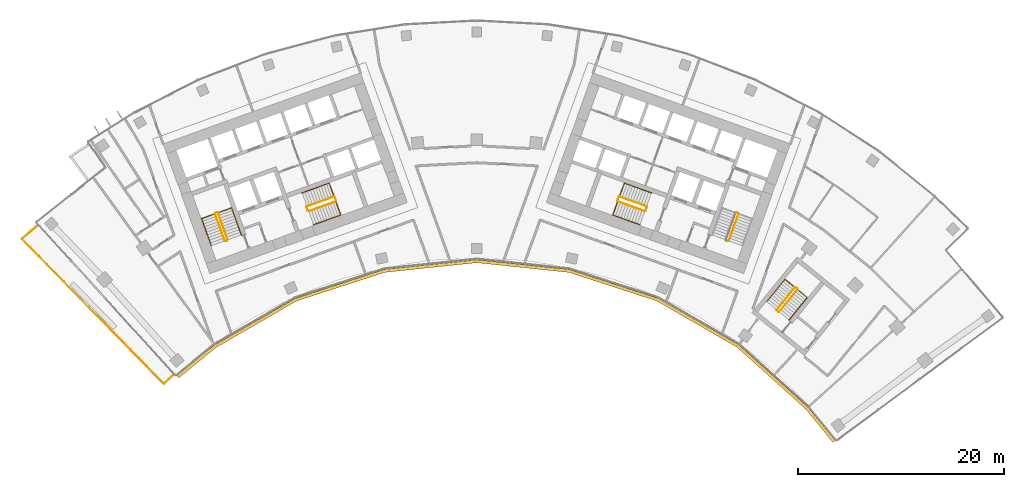
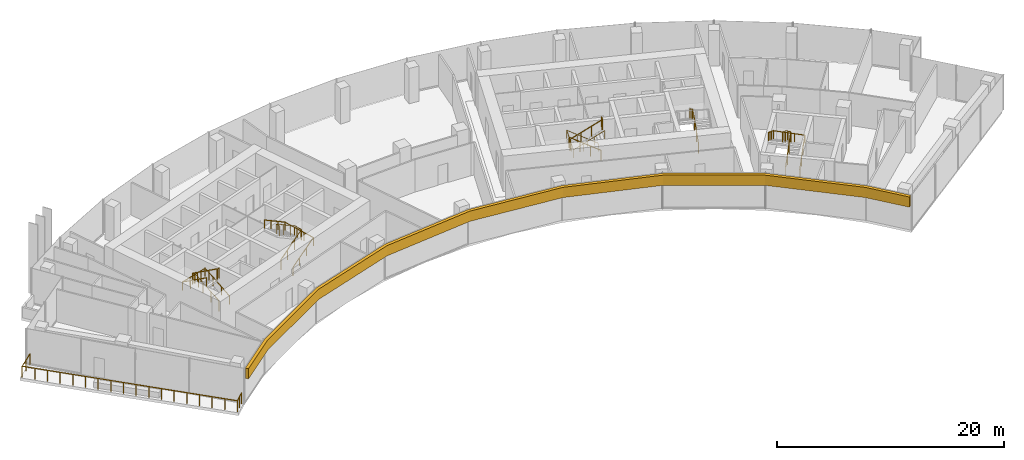
# One storey, part 18 of 19: 14 railings, 1 covering.
"""IFC4 building model written with IfcOpenShell, lengths in metres."""

from ifc_helpers import new_model, si_unit, direction, frame, origin, origin_2d, place, context, subcontext, project, spatial, polyline, circle, outline, extrude, material, layer, layer_set, type_object, element, save


model = new_model("IFC4")

# Units and contexts
model_context = context("Model", 3, precision=1e-05, world=origin(), true_north=direction((0.0, 1.0)))
body_context = subcontext(model_context, "Body", "Model", "MODEL_VIEW")
ifc_project = project(units=[si_unit("LENGTHUNIT", "METRE"), si_unit("AREAUNIT", "SQUARE_METRE"), si_unit("VOLUMEUNIT", "CUBIC_METRE"), si_unit("PLANEANGLEUNIT", "RADIAN"), si_unit("MASSUNIT", "GRAM", prefix="KILO")], contexts=[model_context])

# Site, building, storey
site_placement = place(None, origin())
site = spatial("IfcSite", under=ifc_project, at=site_placement, CompositionType="ELEMENT")
building_placement = place(site_placement, origin())
building = spatial("IfcBuilding", under=site, at=building_placement, Name="Stone Belt Terrace Tower", CompositionType="ELEMENT")
storey_placement = place(building_placement, frame((0.0, 0.0, 227.60009765625)))
storey = spatial("IfcBuildingStorey", under=building, at=storey_placement, Name="L55", CompositionType="ELEMENT", Elevation=227.60009765625)

# Railings
ifc_material_1 = material(Name="Structural steel C345", Category="steel")
railing_type_1 = type_object("IfcRailingType", Name="Stair guard 1100", PredefinedType="GUARDRAIL", material=ifc_material_1)
railing_1_placement = place(storey_placement, frame((-24.2119140625, 45.276123046875, 0.172607421875)))
element("IfcRailing", 1, at=railing_1_placement, inside=storey, type_object=railing_type_1, Name="L55 ST1A stair guard 1", PredefinedType="GUARDRAIL", context=body_context, shape_type="SweptSolid", body=[
    extrude(circle(Radius=0.02392578125, at=origin_2d()), frame((0.0, 0.0, 1.076171875), z_axis=(-0.288228637646, 0.800791768495, 0.525030280985), x_axis=(-0.940908529223, -0.338660803216, 0.0)), (0.0, 0.0, 1.0), 3.289794921875),
    extrude(circle(Radius=0.02392578125, at=origin_2d()), frame((-0.9482421875, 2.634521484375, 2.80322265625), z_axis=(-0.905209821074, 0.424964916, 0.0), x_axis=(-0.424964916, -0.905209821074, 0.0)), (0.0, 0.0, 1.0), 0.070556640625),
    extrude(circle(Radius=0.02392578125, at=origin_2d()), frame((-1.01220703125, 2.66455078125, 2.80322265625), z_axis=(-0.941105063269, -0.338114270461, 0.0), x_axis=(0.338114270461, -0.941105063269, 0.0)), (0.0, 0.0, 1.0), 0.199951171875),
    extrude(circle(Radius=0.02099609375, at=origin_2d()), origin(), (0.0, 0.0, 1.0), 1.052001953125),
    extrude(circle(Radius=0.02099609375, at=origin_2d()), frame((-0.316162109375, 0.878173828125, 0.57568359375)), (0.0, 0.0, 1.0), 1.052001953125),
    extrude(circle(Radius=0.02099609375, at=origin_2d()), frame((-0.632080078125, 1.75634765625, 1.151611328125)), (0.0, 0.0, 1.0), 1.052001953125),
    extrude(circle(Radius=0.02099609375, at=origin_2d()), frame((-0.9482421875, 2.634521484375, 1.727294921875)), (0.0, 0.0, 1.0), 1.052001953125),
    extrude(circle(Radius=0.02099609375, at=origin_2d()), frame((-1.01220703125, 2.66455078125, 1.727294921875)), (0.0, 0.0, 1.0), 1.052001953125),
    extrude(circle(Radius=0.02099609375, at=origin_2d()), frame((-1.200439453125, 2.596923828125, 1.727294921875)), (0.0, 0.0, 1.0), 1.052001953125),
])
railing_2_placement = place(storey_placement, frame((-25.4423828125, 47.80908203125, 2.072509765625)))
element("IfcRailing", 2, at=railing_2_placement, inside=storey, type_object=railing_type_1, Name="L55 ST1A stair guard 2", PredefinedType="GUARDRAIL", context=body_context, shape_type="SweptSolid", body=[
    extrude(circle(Radius=0.02392578125, at=origin_2d()), frame((0.0, 0.0, 1.076171875), z_axis=(0.288228637646, -0.800791768495, 0.525030280985), x_axis=(0.940908529223, 0.338660803216, 0.0)), (0.0, 0.0, 1.0), 3.289794921875),
    extrude(circle(Radius=0.02392578125, at=origin_2d()), frame((0.9482421875, -2.634521484375, 2.80322265625), z_axis=(0.903878284585, -0.427789722475, 0.0), x_axis=(0.427789722475, 0.903878284585, 0.0)), (0.0, 0.0, 1.0), 0.07080078125),
    extrude(circle(Radius=0.02392578125, at=origin_2d()), frame((1.01220703125, -2.664794921875, 2.80322265625), z_axis=(0.940575576748, 0.339584429008, 0.0), x_axis=(-0.339584429008, 0.940575576748, 0.0)), (0.0, 0.0, 1.0), 0.199951171875),
    extrude(circle(Radius=0.02099609375, at=origin_2d()), origin(), (0.0, 0.0, 1.0), 1.052001953125),
    extrude(circle(Radius=0.02099609375, at=origin_2d()), frame((0.316162109375, -0.878173828125, 0.57568359375)), (0.0, 0.0, 1.0), 1.052001953125),
    extrude(circle(Radius=0.02099609375, at=origin_2d()), frame((0.632080078125, -1.75634765625, 1.151611328125)), (0.0, 0.0, 1.0), 1.052001953125),
    extrude(circle(Radius=0.02099609375, at=origin_2d()), frame((0.9482421875, -2.634521484375, 1.727294921875)), (0.0, 0.0, 1.0), 1.052001953125),
    extrude(circle(Radius=0.02099609375, at=origin_2d()), frame((1.01220703125, -2.664794921875, 1.727294921875)), (0.0, 0.0, 1.0), 1.052001953125),
    extrude(circle(Radius=0.02099609375, at=origin_2d()), frame((1.2001953125, -2.596923828125, 1.727294921875)), (0.0, 0.0, 1.0), 1.052001953125),
])
railing_3_placement = place(storey_placement, frame((-16.33837890625, 48.056640625, 0.172607421875)))
element("IfcRailing", 3, at=railing_3_placement, inside=storey, type_object=railing_type_1, Name="L55 ST2A stair guard 1", PredefinedType="GUARDRAIL", context=body_context, shape_type="SweptSolid", body=[
    extrude(circle(Radius=0.02392578125, at=origin_2d()), frame((0.0, 0.0, 1.076171875), z_axis=(0.800808895155, 0.288160591223, 0.52504150989), x_axis=(-0.338583606334, 0.940936311087, 0.0)), (0.0, 0.0, 1.0), 3.289794921875),
    extrude(circle(Radius=0.02392578125, at=origin_2d()), frame((2.634521484375, 0.947998046875, 2.80322265625), z_axis=(0.427789722475, 0.903878284585, 0.0), x_axis=(-0.903878284585, 0.427789722475, 0.0)), (0.0, 0.0, 1.0), 0.07080078125),
    extrude(circle(Radius=0.02392578125, at=origin_2d()), frame((2.664794921875, 1.011962890625, 2.80322265625), z_axis=(-0.338654645739, 0.940910745459, 0.0), x_axis=(-0.940910745459, -0.338654645739, 0.0)), (0.0, 0.0, 1.0), 0.400146484375),
    extrude(circle(Radius=0.02099609375, at=origin_2d()), origin(), (0.0, 0.0, 1.0), 1.052001953125),
    extrude(circle(Radius=0.02099609375, at=origin_2d()), frame((0.878173828125, 0.31591796875, 0.57568359375)), (0.0, 0.0, 1.0), 1.052001953125),
    extrude(circle(Radius=0.02099609375, at=origin_2d()), frame((1.75634765625, 0.632080078125, 1.151611328125)), (0.0, 0.0, 1.0), 1.052001953125),
    extrude(circle(Radius=0.02099609375, at=origin_2d()), frame((2.634521484375, 0.947998046875, 1.727294921875)), (0.0, 0.0, 1.0), 1.052001953125),
    extrude(circle(Radius=0.02099609375, at=origin_2d()), frame((2.664794921875, 1.011962890625, 1.727294921875)), (0.0, 0.0, 1.0), 1.052001953125),
    extrude(circle(Radius=0.02099609375, at=origin_2d()), frame((2.529296875, 1.388427734375, 1.727294921875)), (0.0, 0.0, 1.0), 1.052001953125),
])
railing_4_placement = place(storey_placement, frame((-13.873046875, 49.47509765625, 2.072509765625)))
element("IfcRailing", 4, at=railing_4_placement, inside=storey, type_object=railing_type_1, Name="L55 ST2A stair guard 2", PredefinedType="GUARDRAIL", context=body_context, shape_type="SweptSolid", body=[
    extrude(circle(Radius=0.02392578125, at=origin_2d()), frame((0.0, 0.0, 1.076171875), z_axis=(-0.800808895155, -0.288160591223, 0.52504150989), x_axis=(0.338583606334, -0.940936311087, 0.0)), (0.0, 0.0, 1.0), 3.289794921875),
    extrude(circle(Radius=0.02392578125, at=origin_2d()), frame((-2.634521484375, -0.947998046875, 2.80322265625), z_axis=(-0.427789722475, -0.903878284585, 0.0), x_axis=(0.903878284585, -0.427789722475, 0.0)), (0.0, 0.0, 1.0), 0.07080078125),
    extrude(circle(Radius=0.02392578125, at=origin_2d()), frame((-2.664794921875, -1.011962890625, 2.80322265625), z_axis=(0.338654645739, -0.940910745459, 0.0), x_axis=(0.940910745459, 0.338654645739, 0.0)), (0.0, 0.0, 1.0), 0.400146484375),
    extrude(circle(Radius=0.02099609375, at=origin_2d()), origin(), (0.0, 0.0, 1.0), 1.052001953125),
    extrude(circle(Radius=0.02099609375, at=origin_2d()), frame((-0.878173828125, -0.31591796875, 0.57568359375)), (0.0, 0.0, 1.0), 1.052001953125),
    extrude(circle(Radius=0.02099609375, at=origin_2d()), frame((-1.75634765625, -0.632080078125, 1.151611328125)), (0.0, 0.0, 1.0), 1.052001953125),
    extrude(circle(Radius=0.02099609375, at=origin_2d()), frame((-2.634521484375, -0.947998046875, 1.727294921875)), (0.0, 0.0, 1.0), 1.052001953125),
    extrude(circle(Radius=0.02099609375, at=origin_2d()), frame((-2.664794921875, -1.011962890625, 1.727294921875)), (0.0, 0.0, 1.0), 1.052001953125),
    extrude(circle(Radius=0.02099609375, at=origin_2d()), frame((-2.529296875, -1.388427734375, 1.727294921875)), (0.0, 0.0, 1.0), 1.052001953125),
])
railing_5_placement = place(storey_placement, frame((24.494140625, 45.174560546875, 0.172607421875)))
element("IfcRailing", 5, at=railing_5_placement, inside=storey, type_object=railing_type_1, Name="L55 ST1B stair guard 1", PredefinedType="GUARDRAIL", context=body_context, shape_type="SweptSolid", body=[
    extrude(circle(Radius=0.02392578125, at=origin_2d()), frame((0.0, 0.0, 1.076171875), z_axis=(0.288228637646, 0.800791768495, 0.525030280985), x_axis=(-0.940908529223, 0.338660803216, 0.0)), (0.0, 0.0, 1.0), 3.289794921875),
    extrude(circle(Radius=0.02392578125, at=origin_2d()), frame((0.9482421875, 2.634521484375, 2.80322265625), z_axis=(-0.424964916, 0.905209821074, 0.0), x_axis=(-0.905209821074, -0.424964916, 0.0)), (0.0, 0.0, 1.0), 0.070556640625),
    extrude(circle(Radius=0.02392578125, at=origin_2d()), frame((0.918212890625, 2.698486328125, 2.80322265625), z_axis=(-0.941105063269, 0.338114270461, 0.0), x_axis=(-0.338114270461, -0.941105063269, 0.0)), (0.0, 0.0, 1.0), 0.199951171875),
    extrude(circle(Radius=0.02099609375, at=origin_2d()), origin(), (0.0, 0.0, 1.0), 1.052001953125),
    extrude(circle(Radius=0.02099609375, at=origin_2d()), frame((0.316162109375, 0.878173828125, 0.57568359375)), (0.0, 0.0, 1.0), 1.052001953125),
    extrude(circle(Radius=0.02099609375, at=origin_2d()), frame((0.632080078125, 1.75634765625, 1.151611328125)), (0.0, 0.0, 1.0), 1.052001953125),
    extrude(circle(Radius=0.02099609375, at=origin_2d()), frame((0.9482421875, 2.634521484375, 1.727294921875)), (0.0, 0.0, 1.0), 1.052001953125),
    extrude(circle(Radius=0.02099609375, at=origin_2d()), frame((0.918212890625, 2.698486328125, 1.727294921875)), (0.0, 0.0, 1.0), 1.052001953125),
    extrude(circle(Radius=0.02099609375, at=origin_2d()), frame((0.72998046875, 2.76611328125, 1.727294921875)), (0.0, 0.0, 1.0), 1.052001953125),
])
railing_6_placement = place(storey_placement, frame((16.507568359375, 48.527099609375, 0.172607421875)))
element("IfcRailing", 6, at=railing_6_placement, inside=storey, type_object=railing_type_1, Name="L55 ST2B stair guard 1", PredefinedType="GUARDRAIL", context=body_context, shape_type="SweptSolid", body=[
    extrude(circle(Radius=0.02392578125, at=origin_2d()), frame((0.0, 0.0, 1.076171875), z_axis=(-0.800808895155, 0.288160591223, 0.52504150989), x_axis=(-0.338583606334, -0.940936311087, 0.0)), (0.0, 0.0, 1.0), 3.289794921875),
    extrude(circle(Radius=0.02392578125, at=origin_2d()), frame((-2.634521484375, 0.947998046875, 2.80322265625), z_axis=(-0.905209821074, -0.424964916, 0.0), x_axis=(0.424964916, -0.905209821074, 0.0)), (0.0, 0.0, 1.0), 0.070556640625),
    extrude(circle(Radius=0.02392578125, at=origin_2d()), frame((-2.698486328125, 0.91796875, 2.80322265625), z_axis=(-0.338654645739, -0.940910745459, 0.0), x_axis=(0.940910745459, -0.338654645739, 0.0)), (0.0, 0.0, 1.0), 0.400146484375),
    extrude(circle(Radius=0.02099609375, at=origin_2d()), origin(), (0.0, 0.0, 1.0), 1.052001953125),
    extrude(circle(Radius=0.02099609375, at=origin_2d()), frame((-0.878173828125, 0.31591796875, 0.57568359375)), (0.0, 0.0, 1.0), 1.052001953125),
    extrude(circle(Radius=0.02099609375, at=origin_2d()), frame((-1.75634765625, 0.632080078125, 1.151611328125)), (0.0, 0.0, 1.0), 1.052001953125),
    extrude(circle(Radius=0.02099609375, at=origin_2d()), frame((-2.634521484375, 0.947998046875, 1.727294921875)), (0.0, 0.0, 1.0), 1.052001953125),
    extrude(circle(Radius=0.02099609375, at=origin_2d()), frame((-2.698486328125, 0.91796875, 1.727294921875)), (0.0, 0.0, 1.0), 1.052001953125),
    extrude(circle(Radius=0.02099609375, at=origin_2d()), frame((-2.833984375, 0.54150390625, 1.727294921875)), (0.0, 0.0, 1.0), 1.052001953125),
])
railing_7_placement = place(storey_placement, frame((13.703857421875, 49.004638671875, 2.072509765625)))
element("IfcRailing", 7, at=railing_7_placement, inside=storey, type_object=railing_type_1, Name="L55 ST2B stair guard 2", PredefinedType="GUARDRAIL", context=body_context, shape_type="SweptSolid", body=[
    extrude(circle(Radius=0.02392578125, at=origin_2d()), frame((0.0, 0.0, 1.076171875), z_axis=(0.800808895155, -0.288160591223, 0.52504150989), x_axis=(0.338583606334, 0.940936311087, 0.0)), (0.0, 0.0, 1.0), 3.289794921875),
    extrude(circle(Radius=0.02392578125, at=origin_2d()), frame((2.634521484375, -0.947998046875, 2.80322265625), z_axis=(0.905209821074, 0.424964916, 0.0), x_axis=(-0.424964916, 0.905209821074, 0.0)), (0.0, 0.0, 1.0), 0.070556640625),
    extrude(circle(Radius=0.02392578125, at=origin_2d()), frame((2.698486328125, -0.91796875, 2.80322265625), z_axis=(0.338654645739, 0.940910745459, 0.0), x_axis=(-0.940910745459, 0.338654645739, 0.0)), (0.0, 0.0, 1.0), 0.400146484375),
    extrude(circle(Radius=0.02099609375, at=origin_2d()), origin(), (0.0, 0.0, 1.0), 1.052001953125),
    extrude(circle(Radius=0.02099609375, at=origin_2d()), frame((0.878173828125, -0.31591796875, 0.57568359375)), (0.0, 0.0, 1.0), 1.052001953125),
    extrude(circle(Radius=0.02099609375, at=origin_2d()), frame((1.75634765625, -0.632080078125, 1.151611328125)), (0.0, 0.0, 1.0), 1.052001953125),
    extrude(circle(Radius=0.02099609375, at=origin_2d()), frame((2.634521484375, -0.947998046875, 1.727294921875)), (0.0, 0.0, 1.0), 1.052001953125),
    extrude(circle(Radius=0.02099609375, at=origin_2d()), frame((2.698486328125, -0.91796875, 1.727294921875)), (0.0, 0.0, 1.0), 1.052001953125),
    extrude(circle(Radius=0.02099609375, at=origin_2d()), frame((2.833984375, -0.54150390625, 1.727294921875)), (0.0, 0.0, 1.0), 1.052001953125),
])
railing_8_placement = place(storey_placement, frame((29.39794921875, 38.281982421875, 0.172607421875)))
element("IfcRailing", 8, at=railing_8_placement, inside=storey, type_object=railing_type_1, Name="L55 ST3B stair guard 1", PredefinedType="GUARDRAIL", context=body_context, shape_type="SweptSolid", body=[
    extrude(circle(Radius=0.02392578125, at=origin_2d()), frame((0.0, 0.0, 1.076171875), z_axis=(0.536393061503, 0.660769759217, 0.525038864158), x_axis=(-0.776391310223, 0.630251166924, 0.0)), (0.0, 0.0, 1.0), 3.289794921875),
    extrude(circle(Radius=0.02392578125, at=origin_2d()), frame((1.7646484375, 2.173828125, 2.80322265625), z_axis=(-0.103251414163, 0.994655289773, 0.0), x_axis=(-0.994655289773, -0.103251414163, 0.0)), (0.0, 0.0, 1.0), 0.071044921875),
    extrude(circle(Radius=0.02392578125, at=origin_2d()), frame((1.75732421875, 2.244384765625, 2.80322265625), z_axis=(-0.776561986372, 0.630040856868, 0.0), x_axis=(-0.630040856868, -0.776561986372, 0.0)), (0.0, 0.0, 1.0), 0.199951171875),
    extrude(circle(Radius=0.02099609375, at=origin_2d()), origin(), (0.0, 0.0, 1.0), 1.052001953125),
    extrude(circle(Radius=0.02099609375, at=origin_2d()), frame((0.588134765625, 0.724609375, 0.57568359375)), (0.0, 0.0, 1.0), 1.052001953125),
    extrude(circle(Radius=0.02099609375, at=origin_2d()), frame((1.176513671875, 1.44921875, 1.151611328125)), (0.0, 0.0, 1.0), 1.052001953125),
    extrude(circle(Radius=0.02099609375, at=origin_2d()), frame((1.7646484375, 2.173828125, 1.727294921875)), (0.0, 0.0, 1.0), 1.052001953125),
    extrude(circle(Radius=0.02099609375, at=origin_2d()), frame((1.75732421875, 2.244384765625, 1.727294921875)), (0.0, 0.0, 1.0), 1.052001953125),
    extrude(circle(Radius=0.02099609375, at=origin_2d()), frame((1.60205078125, 2.370361328125, 1.727294921875)), (0.0, 0.0, 1.0), 1.052001953125),
])
railing_9_placement = place(storey_placement, frame((30.9296875, 40.64501953125, 2.072509765625)))
element("IfcRailing", 9, at=railing_9_placement, inside=storey, type_object=railing_type_1, Name="L55 ST3B stair guard 2", PredefinedType="GUARDRAIL", context=body_context, shape_type="SweptSolid", body=[
    extrude(circle(Radius=0.02392578125, at=origin_2d()), frame((0.0, 0.0, 1.076171875), z_axis=(-0.536366759382, -0.660811565066, 0.525013118792), x_axis=(0.776425942316, -0.630208502084, 0.0)), (0.0, 0.0, 1.0), 3.2900390625),
    extrude(circle(Radius=0.02392578125, at=origin_2d()), frame((-1.7646484375, -2.174072265625, 2.80322265625), z_axis=(0.103606084259, -0.994618408891, 0.0), x_axis=(0.994618408891, 0.103606084259, 0.0)), (0.0, 0.0, 1.0), 0.07080078125),
    extrude(circle(Radius=0.02392578125, at=origin_2d()), frame((-1.75732421875, -2.244384765625, 2.80322265625), z_axis=(0.776561986372, -0.630040856868, 0.0), x_axis=(0.630040856868, 0.776561986372, 0.0)), (0.0, 0.0, 1.0), 0.199951171875),
    extrude(circle(Radius=0.02099609375, at=origin_2d()), origin(), (0.0, 0.0, 1.0), 1.052001953125),
    extrude(circle(Radius=0.02099609375, at=origin_2d()), frame((-0.588134765625, -0.724609375, 0.57568359375)), (0.0, 0.0, 1.0), 1.052001953125),
    extrude(circle(Radius=0.02099609375, at=origin_2d()), frame((-1.176513671875, -1.449462890625, 1.151611328125)), (0.0, 0.0, 1.0), 1.052001953125),
    extrude(circle(Radius=0.02099609375, at=origin_2d()), frame((-1.7646484375, -2.174072265625, 1.727294921875)), (0.0, 0.0, 1.0), 1.052001953125),
    extrude(circle(Radius=0.02099609375, at=origin_2d()), frame((-1.75732421875, -2.244384765625, 1.727294921875)), (0.0, 0.0, 1.0), 1.052001953125),
    extrude(circle(Radius=0.02099609375, at=origin_2d()), frame((-1.60205078125, -2.370361328125, 1.727294921875)), (0.0, 0.0, 1.0), 1.052001953125),
])
railing_type_2 = type_object("IfcRailingType", Name="Stair handrail 900", PredefinedType="HANDRAIL", material=ifc_material_1)
railing_10_placement = place(storey_placement, frame((-22.894775390625, 45.750244140625, 0.172607421875)))
element("IfcRailing", 10, at=railing_10_placement, inside=storey, type_object=railing_type_2, Name="L55 ST1A stair handrail 1", PredefinedType="HANDRAIL", context=body_context, shape_type="SweptSolid", body=[
    extrude(circle(Radius=0.02392578125, at=origin_2d()), frame((0.0, 0.0, 0.8759765625), z_axis=(-0.288160591223, 0.800808895155, 0.52504150989), x_axis=(-0.940936311087, -0.338583606334, 0.0)), (0.0, 0.0, 1.0), 3.289794921875),
    extrude(circle(Radius=0.02392578125, at=origin_2d()), frame((-0.947998046875, 2.634521484375, 2.60302734375), z_axis=(-0.939464517435, -0.338106580597, 0.055591012205), x_axis=(0.338630230244, -0.940919532779, 0.0)), (0.0, 0.0, 1.0), 3.10498046875),
    extrude(circle(Radius=0.02392578125, at=origin_2d()), frame((-3.864990234375, 1.584716796875, 2.77587890625), z_axis=(0.288228637646, -0.800791768495, 0.525030280985), x_axis=(0.940908529223, 0.338660803216, 0.0)), (0.0, 0.0, 1.0), 3.289794921875),
    extrude(circle(Radius=0.02099609375, at=origin_2d()), origin(), (0.0, 0.0, 1.0), 0.851806640625),
    extrude(circle(Radius=0.02099609375, at=origin_2d()), frame((-0.31591796875, 0.878173828125, 0.57568359375)), (0.0, 0.0, 1.0), 0.851806640625),
    extrude(circle(Radius=0.02099609375, at=origin_2d()), frame((-0.632080078125, 1.75634765625, 1.151611328125)), (0.0, 0.0, 1.0), 0.851806640625),
    extrude(circle(Radius=0.02099609375, at=origin_2d()), frame((-0.947998046875, 2.634521484375, 1.727294921875)), (0.0, 0.0, 1.0), 0.851806640625),
    extrude(circle(Radius=0.02099609375, at=origin_2d()), frame((-1.92041015625, 2.28466796875, 1.784912109375)), (0.0, 0.0, 1.0), 0.851806640625),
    extrude(circle(Radius=0.02099609375, at=origin_2d()), frame((-2.892578125, 1.9345703125, 1.84228515625)), (0.0, 0.0, 1.0), 0.851806640625),
    extrude(circle(Radius=0.02099609375, at=origin_2d()), frame((-3.864990234375, 1.584716796875, 1.89990234375)), (0.0, 0.0, 1.0), 0.851806640625),
    extrude(circle(Radius=0.02099609375, at=origin_2d()), frame((-3.548828125, 0.70654296875, 2.4755859375)), (0.0, 0.0, 1.0), 0.851806640625),
    extrude(circle(Radius=0.02099609375, at=origin_2d()), frame((-3.23291015625, -0.171630859375, 3.051513671875)), (0.0, 0.0, 1.0), 0.851806640625),
    extrude(circle(Radius=0.02099609375, at=origin_2d()), frame((-2.916748046875, -1.0498046875, 3.627197265625)), (0.0, 0.0, 1.0), 0.851806640625),
])
railing_11_placement = place(storey_placement, frame((-15.8642578125, 46.7392578125, 0.172607421875)))
element("IfcRailing", 11, at=railing_11_placement, inside=storey, type_object=railing_type_2, Name="L55 ST2A stair handrail 1", PredefinedType="HANDRAIL", context=body_context, shape_type="SweptSolid", body=[
    extrude(circle(Radius=0.02392578125, at=origin_2d()), frame((0.0, 0.0, 0.8759765625), z_axis=(0.800791768495, 0.288228637646, 0.525030280985), x_axis=(-0.338660803216, 0.940908529223, 0.0)), (0.0, 0.0, 1.0), 3.289794921875),
    extrude(circle(Radius=0.02392578125, at=origin_2d()), frame((2.634521484375, 0.9482421875, 2.60302734375), z_axis=(-0.338160254016, 0.939637778147, 0.052234935458), x_axis=(-0.940922302781, -0.338622533404, 0.0)), (0.0, 0.0, 1.0), 3.304443359375),
    extrude(circle(Radius=0.02392578125, at=origin_2d()), frame((1.51708984375, 4.05322265625, 2.77587890625), z_axis=(-0.800791768495, -0.288228637646, 0.525030280985), x_axis=(0.338660803216, -0.940908529223, 0.0)), (0.0, 0.0, 1.0), 3.289794921875),
    extrude(circle(Radius=0.02099609375, at=origin_2d()), origin(), (0.0, 0.0, 1.0), 0.851806640625),
    extrude(circle(Radius=0.02099609375, at=origin_2d()), frame((0.878173828125, 0.316162109375, 0.57568359375)), (0.0, 0.0, 1.0), 0.851806640625),
    extrude(circle(Radius=0.02099609375, at=origin_2d()), frame((1.75634765625, 0.632080078125, 1.151611328125)), (0.0, 0.0, 1.0), 0.851806640625),
    extrude(circle(Radius=0.02099609375, at=origin_2d()), frame((2.634521484375, 0.9482421875, 1.727294921875)), (0.0, 0.0, 1.0), 0.851806640625),
    extrude(circle(Radius=0.02099609375, at=origin_2d()), frame((2.261962890625, 1.983154296875, 1.784912109375)), (0.0, 0.0, 1.0), 0.851806640625),
    extrude(circle(Radius=0.02099609375, at=origin_2d()), frame((1.8896484375, 3.018310546875, 1.84228515625)), (0.0, 0.0, 1.0), 0.851806640625),
    extrude(circle(Radius=0.02099609375, at=origin_2d()), frame((1.51708984375, 4.05322265625, 1.89990234375)), (0.0, 0.0, 1.0), 0.851806640625),
    extrude(circle(Radius=0.02099609375, at=origin_2d()), frame((0.638916015625, 3.737060546875, 2.4755859375)), (0.0, 0.0, 1.0), 0.851806640625),
    extrude(circle(Radius=0.02099609375, at=origin_2d()), frame((-0.2392578125, 3.421142578125, 3.051513671875)), (0.0, 0.0, 1.0), 0.851806640625),
    extrude(circle(Radius=0.02099609375, at=origin_2d()), frame((-1.117431640625, 3.10498046875, 3.627197265625)), (0.0, 0.0, 1.0), 0.851806640625),
])
railing_12_placement = place(storey_placement, frame((16.981689453125, 49.84423828125, 0.172607421875)))
element("IfcRailing", 12, at=railing_12_placement, inside=storey, type_object=railing_type_2, Name="L55 ST2B stair handrail 1", PredefinedType="HANDRAIL", context=body_context, shape_type="SweptSolid", body=[
    extrude(circle(Radius=0.02392578125, at=origin_2d()), frame((0.0, 0.0, 0.8759765625), z_axis=(-0.800791768495, 0.288228637646, 0.525030280985), x_axis=(-0.338660803216, -0.940908529223, 0.0)), (0.0, 0.0, 1.0), 3.289794921875),
    extrude(circle(Radius=0.02392578125, at=origin_2d()), frame((-2.634521484375, 0.9482421875, 2.60302734375), z_axis=(-0.338160254016, -0.939637778147, 0.052234935458), x_axis=(0.940922302781, -0.338622533404, 0.0)), (0.0, 0.0, 1.0), 3.304443359375),
    extrude(circle(Radius=0.02392578125, at=origin_2d()), frame((-3.751953125, -2.15673828125, 2.77587890625), z_axis=(0.800791768495, -0.288228637646, 0.525030280985), x_axis=(0.338660803216, 0.940908529223, 0.0)), (0.0, 0.0, 1.0), 3.289794921875),
    extrude(circle(Radius=0.02099609375, at=origin_2d()), origin(), (0.0, 0.0, 1.0), 0.851806640625),
    extrude(circle(Radius=0.02099609375, at=origin_2d()), frame((-0.878173828125, 0.316162109375, 0.57568359375)), (0.0, 0.0, 1.0), 0.851806640625),
    extrude(circle(Radius=0.02099609375, at=origin_2d()), frame((-1.75634765625, 0.632080078125, 1.151611328125)), (0.0, 0.0, 1.0), 0.851806640625),
    extrude(circle(Radius=0.02099609375, at=origin_2d()), frame((-2.634521484375, 0.9482421875, 1.727294921875)), (0.0, 0.0, 1.0), 0.851806640625),
    extrude(circle(Radius=0.02099609375, at=origin_2d()), frame((-3.007080078125, -0.086669921875, 1.784912109375)), (0.0, 0.0, 1.0), 0.851806640625),
    extrude(circle(Radius=0.02099609375, at=origin_2d()), frame((-3.37939453125, -1.121826171875, 1.84228515625)), (0.0, 0.0, 1.0), 0.851806640625),
    extrude(circle(Radius=0.02099609375, at=origin_2d()), frame((-3.751953125, -2.15673828125, 1.89990234375)), (0.0, 0.0, 1.0), 0.851806640625),
    extrude(circle(Radius=0.02099609375, at=origin_2d()), frame((-2.873779296875, -2.472900390625, 2.4755859375)), (0.0, 0.0, 1.0), 0.851806640625),
    extrude(circle(Radius=0.02099609375, at=origin_2d()), frame((-1.99560546875, -2.788818359375, 3.051513671875)), (0.0, 0.0, 1.0), 0.851806640625),
    extrude(circle(Radius=0.02099609375, at=origin_2d()), frame((-1.117431640625, -3.10498046875, 3.627197265625)), (0.0, 0.0, 1.0), 0.851806640625),
])
railing_13_placement = place(storey_placement, frame((30.36865234375, 37.494140625, 0.172607421875)))
element("IfcRailing", 13, at=railing_13_placement, inside=storey, type_object=railing_type_2, Name="L55 ST3B stair handrail 1", PredefinedType="HANDRAIL", context=body_context, shape_type="SweptSolid", body=[
    extrude(circle(Radius=0.02392578125, at=origin_2d()), frame((0.0, 0.0, 0.8759765625), z_axis=(0.536366759382, 0.660811565066, 0.525013118792), x_axis=(-0.776425942316, 0.630208502084, 0.0)), (0.0, 0.0, 1.0), 3.2900390625),
    extrude(circle(Radius=0.02392578125, at=origin_2d()), frame((1.7646484375, 2.174072265625, 2.60302734375), z_axis=(-0.774954966459, 0.629014542119, 0.061526463929), x_axis=(-0.630208502084, -0.776425942316, 0.0)), (0.0, 0.0, 1.0), 2.805419921875),
    extrude(circle(Radius=0.02392578125, at=origin_2d()), frame((-0.409423828125, 3.938720703125, 2.77587890625), z_axis=(-0.536366759382, -0.660811565066, 0.525013118792), x_axis=(0.776425942316, -0.630208502084, 0.0)), (0.0, 0.0, 1.0), 3.2900390625),
    extrude(circle(Radius=0.02099609375, at=origin_2d()), origin(), (0.0, 0.0, 1.0), 0.851806640625),
    extrude(circle(Radius=0.02099609375, at=origin_2d()), frame((0.588134765625, 0.724609375, 0.57568359375)), (0.0, 0.0, 1.0), 0.851806640625),
    extrude(circle(Radius=0.02099609375, at=origin_2d()), frame((1.176513671875, 1.449462890625, 1.151611328125)), (0.0, 0.0, 1.0), 0.851806640625),
    extrude(circle(Radius=0.02099609375, at=origin_2d()), frame((1.7646484375, 2.174072265625, 1.727294921875)), (0.0, 0.0, 1.0), 0.851806640625),
    extrude(circle(Radius=0.02099609375, at=origin_2d()), frame((1.0400390625, 2.76220703125, 1.784912109375)), (0.0, 0.0, 1.0), 0.851806640625),
    extrude(circle(Radius=0.02099609375, at=origin_2d()), frame((0.315185546875, 3.3505859375, 1.84228515625)), (0.0, 0.0, 1.0), 0.851806640625),
    extrude(circle(Radius=0.02099609375, at=origin_2d()), frame((-0.409423828125, 3.938720703125, 1.89990234375)), (0.0, 0.0, 1.0), 0.851806640625),
    extrude(circle(Radius=0.02099609375, at=origin_2d()), frame((-0.99755859375, 3.214111328125, 2.4755859375)), (0.0, 0.0, 1.0), 0.851806640625),
    extrude(circle(Radius=0.02099609375, at=origin_2d()), frame((-1.5859375, 2.4892578125, 3.051513671875)), (0.0, 0.0, 1.0), 0.851806640625),
    extrude(circle(Radius=0.02099609375, at=origin_2d()), frame((-2.174072265625, 1.7646484375, 3.627197265625)), (0.0, 0.0, 1.0), 0.851806640625),
])
ifc_material_2 = material(Name="Stainless steel AISI 304", Category="steel")
railing_type_3 = type_object("IfcRailingType", Name="Terrace guard 1200", PredefinedType="GUARDRAIL", material=ifc_material_2)
railing_14_placement = place(storey_placement, frame((-42.668212890625, 46.677490234375, 0.0)))
element("IfcRailing", 14, at=railing_14_placement, inside=storey, type_object=railing_type_3, Name="GUARD L55 1.1", PredefinedType="GUARDRAIL", context=body_context, shape_type="SweptSolid", body=[
    extrude(circle(Radius=0.02490234375, at=origin_2d()), frame((0.0, 0.0, 1.1748046875), z_axis=(-0.76042507327, -0.649425675457, 0.0), x_axis=(0.649425675457, -0.76042507327, 0.0)), (0.0, 0.0, 1.0), 2.003662109375),
    extrude(circle(Radius=0.02490234375, at=origin_2d()), frame((-1.523681640625, -1.30126953125, 1.1748046875), z_axis=(0.69939110141, -0.714739174292, 0.0), x_axis=(0.714739174292, 0.69939110141, 0.0)), (0.0, 0.0, 1.0), 19.69287109375),
    extrude(circle(Radius=0.02490234375, at=origin_2d()), frame((12.249267578125, -15.37646484375, 1.1748046875), z_axis=(0.729045985233, 0.684464718897, 0.0), x_axis=(-0.684464718897, 0.729045985233, 0.0)), (0.0, 0.0, 1.0), 1.286865234375),
    extrude(circle(Radius=0.02001953125, at=origin_2d()), origin(), (0.0, 0.0, 1.0), 1.14990234375),
    extrude(circle(Radius=0.02001953125, at=origin_2d()), frame((-0.76171875, -0.650634765625, 0.0)), (0.0, 0.0, 1.0), 1.14990234375),
    extrude(circle(Radius=0.02001953125, at=origin_2d()), frame((-1.523681640625, -1.30126953125, 0.0)), (0.0, 0.0, 1.0), 1.14990234375),
    extrude(circle(Radius=0.02001953125, at=origin_2d()), frame((-0.713623046875, -2.129150390625, 0.0)), (0.0, 0.0, 1.0), 1.14990234375),
    extrude(circle(Radius=0.02001953125, at=origin_2d()), frame((0.0966796875, -2.957275390625, 0.0)), (0.0, 0.0, 1.0), 1.14990234375),
    extrude(circle(Radius=0.02001953125, at=origin_2d()), frame((0.90673828125, -3.78515625, 0.0)), (0.0, 0.0, 1.0), 1.14990234375),
    extrude(circle(Radius=0.02001953125, at=origin_2d()), frame((1.717041015625, -4.613037109375, 0.0)), (0.0, 0.0, 1.0), 1.14990234375),
    extrude(circle(Radius=0.02001953125, at=origin_2d()), frame((2.527099609375, -5.44091796875, 0.0)), (0.0, 0.0, 1.0), 1.14990234375),
    extrude(circle(Radius=0.02001953125, at=origin_2d()), frame((3.33740234375, -6.26904296875, 0.0)), (0.0, 0.0, 1.0), 1.14990234375),
    extrude(circle(Radius=0.02001953125, at=origin_2d()), frame((4.1474609375, -7.096923828125, 0.0)), (0.0, 0.0, 1.0), 1.14990234375),
    extrude(circle(Radius=0.02001953125, at=origin_2d()), frame((4.957763671875, -7.9248046875, 0.0)), (0.0, 0.0, 1.0), 1.14990234375),
    extrude(circle(Radius=0.02001953125, at=origin_2d()), frame((5.767822265625, -8.7529296875, 0.0)), (0.0, 0.0, 1.0), 1.14990234375),
    extrude(circle(Radius=0.02001953125, at=origin_2d()), frame((6.578125, -9.580810546875, 0.0)), (0.0, 0.0, 1.0), 1.14990234375),
    extrude(circle(Radius=0.02001953125, at=origin_2d()), frame((7.38818359375, -10.40869140625, 0.0)), (0.0, 0.0, 1.0), 1.14990234375),
    extrude(circle(Radius=0.02001953125, at=origin_2d()), frame((8.198486328125, -11.23681640625, 0.0)), (0.0, 0.0, 1.0), 1.14990234375),
    extrude(circle(Radius=0.02001953125, at=origin_2d()), frame((9.008544921875, -12.064697265625, 0.0)), (0.0, 0.0, 1.0), 1.14990234375),
    extrude(circle(Radius=0.02001953125, at=origin_2d()), frame((9.81884765625, -12.892578125, 0.0)), (0.0, 0.0, 1.0), 1.14990234375),
    extrude(circle(Radius=0.02001953125, at=origin_2d()), frame((10.62890625, -13.720458984375, 0.0)), (0.0, 0.0, 1.0), 1.14990234375),
    extrude(circle(Radius=0.02001953125, at=origin_2d()), frame((11.439208984375, -14.548583984375, 0.0)), (0.0, 0.0, 1.0), 1.14990234375),
    extrude(circle(Radius=0.02001953125, at=origin_2d()), frame((12.249267578125, -15.37646484375, 0.0)), (0.0, 0.0, 1.0), 1.14990234375),
    extrude(circle(Radius=0.02001953125, at=origin_2d()), frame((12.71826171875, -14.93603515625, 0.0)), (0.0, 0.0, 1.0), 1.14990234375),
    extrude(circle(Radius=0.02001953125, at=origin_2d()), frame((13.1875, -14.49560546875, 0.0)), (0.0, 0.0, 1.0), 1.14990234375),
])

# Covering
ifc_material_3 = material(Name="Terracotta coloured glazed ceramic", Category="masonry")
ifc_layer = layer(ifc_material_3, 0.300048828125)
ifc_layer_set = layer_set([ifc_layer], Name="Terracotta spandrel band 300 x 1100")
covering_type = type_object("IfcCoveringType", Name="Terracotta spandrel band 300 x 1100", PredefinedType="CLADDING", material=ifc_layer_set)
covering_placement = place(storey_placement, frame((0.0, 0.0, 2.699951171875)))
element("IfcCovering", 15, at=covering_placement, inside=storey, type_object=covering_type, Name="BAND L55", PredefinedType="CLADDING", context=body_context, shape_type="SweptSolid", body=[
    extrude(outline(polyline([(-29.178466796875, 32.060302734375), (-25.483154296875, 35.068359375), (-17.631591796875, 39.6015625), (-9.0126953125, 42.40185546875), (0.0, 43.34912109375), (9.0126953125, 42.40185546875), (17.631591796875, 39.6015625), (25.47998046875, 35.0703125), (32.2177734375, 29.00341796875), (34.8720703125, 25.752197265625), (34.6396484375, 25.5625), (32.0, 28.7958984375), (25.302734375, 34.826171875), (17.509033203125, 39.325927734375), (8.9501953125, 42.10693359375), (0.0, 43.047607421875), (-8.9501953125, 42.10693359375), (-17.509033203125, 39.325927734375), (-25.3125, 34.820556640625), (-28.989013671875, 31.82763671875), (-29.178466796875, 32.060302734375)])), origin(), (0.0, 0.0, 1.0), 1.099853515625),
])

save(model, "model.ifc")
